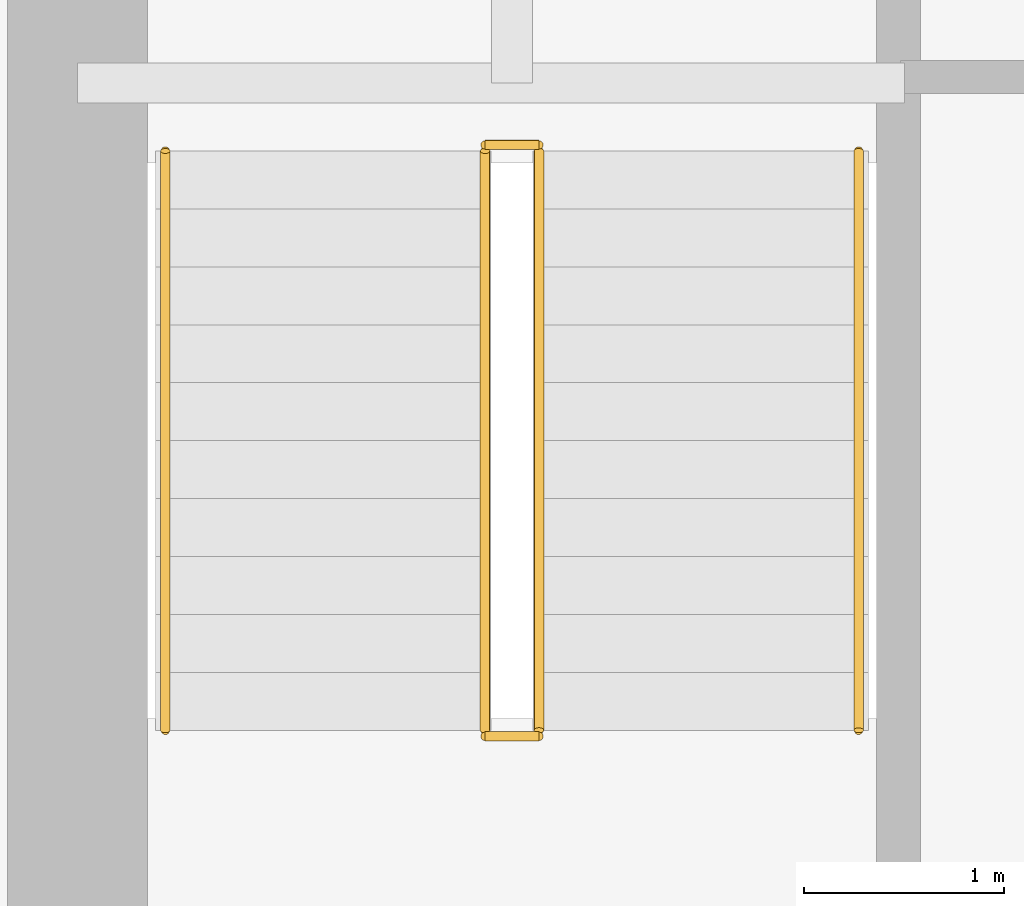
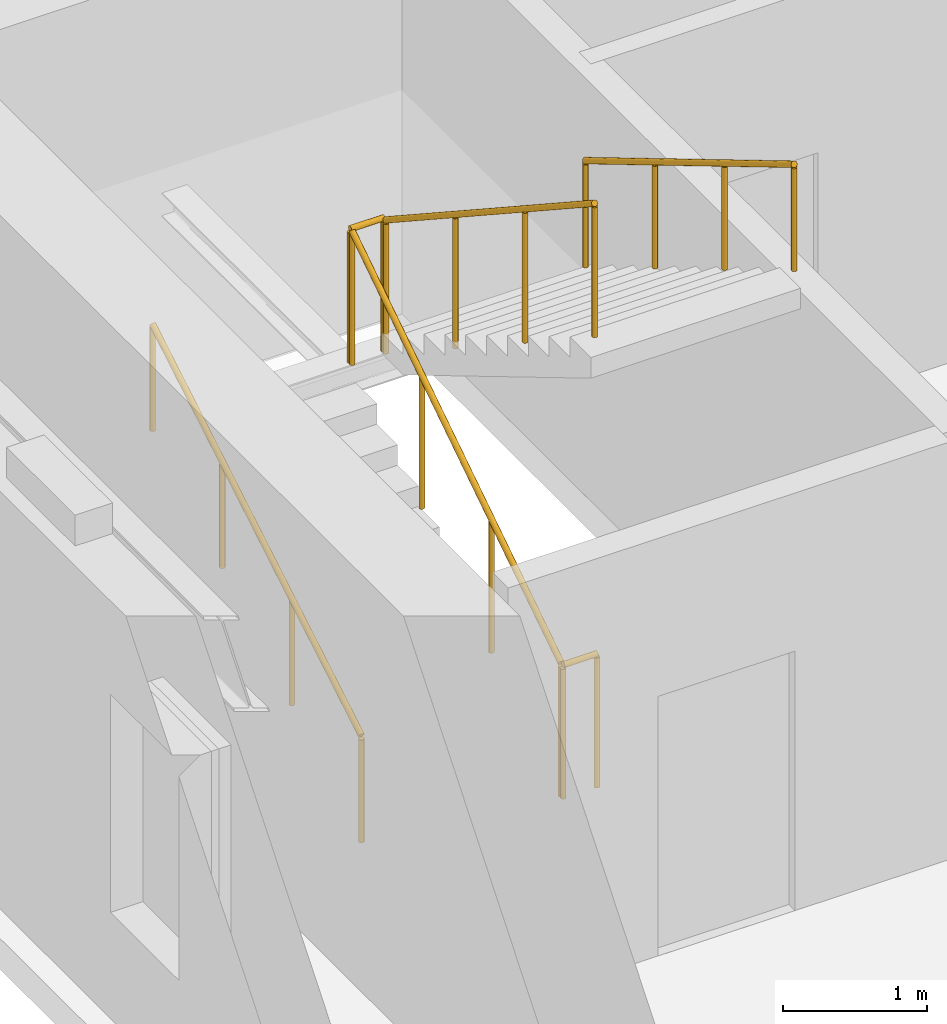
# One storey, part 9 of 11: 6 railings.
"""IFC4 building model written with IfcOpenShell, lengths in metres."""

from ifc_helpers import new_model, si_unit, direction, frame, origin, origin_2d, place, context, subcontext, project, spatial, circle, extrude, material, type_object, element, save


model = new_model("IFC4")

# Units and contexts
model_context = context("Model", 3, precision=1e-05, world=origin(), true_north=direction((0.0, 1.0)))
body_context = subcontext(model_context, "Body", "Model", "MODEL_VIEW")
ifc_project = project(units=[si_unit("LENGTHUNIT", "METRE"), si_unit("AREAUNIT", "SQUARE_METRE"), si_unit("VOLUMEUNIT", "CUBIC_METRE"), si_unit("PLANEANGLEUNIT", "RADIAN"), si_unit("MASSUNIT", "GRAM", prefix="KILO")], contexts=[model_context])

# Site, building, storey
site_placement = place(None, origin())
site = spatial("IfcSite", under=ifc_project, at=site_placement, CompositionType="ELEMENT")
building_placement = place(site_placement, origin())
building = spatial("IfcBuilding", under=site, at=building_placement, Name="Norrvale University Quadrangle", CompositionType="ELEMENT")
storey_placement = place(building_placement, frame((0.0, 0.0, 124.199951171875)))
storey = spatial("IfcBuildingStorey", under=building, at=storey_placement, Name="L31", CompositionType="ELEMENT", Elevation=124.199951171875)

# Railings
ifc_material_1 = material(Name="Steel 350W Painted Balustrade", Category="steel")
railing_type_1 = type_object("IfcRailingType", Name="Railing Stair Guard 1100", PredefinedType="GUARDRAIL", material=ifc_material_1)
for number, where, name in (
    (1, (4.239990234375, 42.02001953125, 0.0), "Stair Floor Well Guard ST-02 L31"),
    (2, (4.239990234375, 44.97998046875, 1.900146484375), "Stair Mid-Landing Slot Guard ST-02 L31"),
):
    element("IfcRailing", number, at=place(storey_placement, frame(where)), inside=storey, type_object=railing_type_1, Name=name, PredefinedType="GUARDRAIL", context=body_context, shape_type="SweptSolid", body=[
        extrude(circle(Radius=0.02392578125, at=origin_2d()), frame((0.0, 0.0, 1.1259765625), z_axis=(1.0, 0.0, 0.0), x_axis=(0.0, 1.0, 0.0)), (0.0, 0.0, 1.0), 0.27001953125),
        extrude(circle(Radius=0.02099609375, at=origin_2d()), origin(), (0.0, 0.0, 1.0), 1.101806640625),
        extrude(circle(Radius=0.02099609375, at=origin_2d()), frame((0.27001953125, 0.0, 0.0)), (0.0, 0.0, 1.0), 1.101806640625),
    ])
railing_1_placement = place(storey_placement, frame((4.239990234375, 42.050048828125, 0.0)))
element("IfcRailing", 3, at=railing_1_placement, inside=storey, type_object=railing_type_1, Name="Stair Lower Flight Inner Guard ST-02 L31", PredefinedType="GUARDRAIL", context=body_context, shape_type="SweptSolid", body=[
    extrude(circle(Radius=0.02392578125, at=origin_2d()), frame((0.0, 0.0, 1.1259765625), z_axis=(0.0, 0.836433300813, 0.548068730445), x_axis=(-1.0, 0.0, 0.0)), (0.0, 0.0, 1.0), 3.467041015625),
    extrude(circle(Radius=0.02099609375, at=origin_2d()), origin(), (0.0, 0.0, 1.0), 1.101806640625),
    extrude(circle(Radius=0.02099609375, at=origin_2d()), frame((0.0, 0.966552734375, 0.63330078125)), (0.0, 0.0, 1.0), 1.101806640625),
    extrude(circle(Radius=0.02099609375, at=origin_2d()), frame((0.0, 1.933349609375, 1.266845703125)), (0.0, 0.0, 1.0), 1.101806640625),
    extrude(circle(Radius=0.02099609375, at=origin_2d()), frame((0.0, 2.89990234375, 1.900146484375)), (0.0, 0.0, 1.0), 1.101806640625),
])
railing_2_placement = place(storey_placement, frame((4.510009765625, 44.949951171875, 1.900146484375)))
element("IfcRailing", 4, at=railing_2_placement, inside=storey, type_object=railing_type_1, Name="Stair Upper Flight Inner Guard ST-02 L31", PredefinedType="GUARDRAIL", context=body_context, shape_type="SweptSolid", body=[
    extrude(circle(Radius=0.02392578125, at=origin_2d()), frame((0.0, 0.0, 1.1259765625), z_axis=(0.0, -0.836465582154, 0.548019461216), x_axis=(1.0, 0.0, 0.0)), (0.0, 0.0, 1.0), 3.466796875),
    extrude(circle(Radius=0.02099609375, at=origin_2d()), origin(), (0.0, 0.0, 1.0), 1.101806640625),
    extrude(circle(Radius=0.02099609375, at=origin_2d()), frame((0.0, -0.966552734375, 0.63330078125)), (0.0, 0.0, 1.0), 1.101806640625),
    extrude(circle(Radius=0.02099609375, at=origin_2d()), frame((0.0, -1.933349609375, 1.2666015625)), (0.0, 0.0, 1.0), 1.101806640625),
    extrude(circle(Radius=0.02099609375, at=origin_2d()), frame((0.0, -2.89990234375, 1.89990234375)), (0.0, 0.0, 1.0), 1.101806640625),
])
ifc_material_2 = material(Name="Stainless Steel 316L Handrail", Category="steel")
railing_type_2 = type_object("IfcRailingType", Name="Railing Stair Handrail 920", PredefinedType="HANDRAIL", material=ifc_material_2)
railing_3_placement = place(storey_placement, frame((2.639892578125, 42.050048828125, 0.1728515625)))
element("IfcRailing", 5, at=railing_3_placement, inside=storey, type_object=railing_type_2, Name="Stair Lower Flight Handrail ST-02 L31", PredefinedType="HANDRAIL", context=body_context, shape_type="SweptSolid", body=[
    extrude(circle(Radius=0.02392578125, at=origin_2d()), frame((0.0, 0.0, 0.89599609375), z_axis=(0.0, 0.859141464434, 0.511738159696), x_axis=(-1.0, 0.0, 0.0)), (0.0, 0.0, 1.0), 3.375244140625),
    extrude(circle(Radius=0.02099609375, at=origin_2d()), origin(), (0.0, 0.0, 1.0), 0.871826171875),
    extrude(circle(Radius=0.02099609375, at=origin_2d()), frame((0.0, 0.966552734375, 0.57568359375)), (0.0, 0.0, 1.0), 0.871826171875),
    extrude(circle(Radius=0.02099609375, at=origin_2d()), frame((0.0, 1.933349609375, 1.151611328125)), (0.0, 0.0, 1.0), 0.871826171875),
    extrude(circle(Radius=0.02099609375, at=origin_2d()), frame((0.0, 2.89990234375, 1.727294921875)), (0.0, 0.0, 1.0), 0.871826171875),
])
railing_4_placement = place(storey_placement, frame((6.110107421875, 44.949951171875, 2.07275390625)))
element("IfcRailing", 6, at=railing_4_placement, inside=storey, type_object=railing_type_2, Name="Stair Upper Flight Handrail ST-02 L31", PredefinedType="HANDRAIL", context=body_context, shape_type="SweptSolid", body=[
    extrude(circle(Radius=0.02392578125, at=origin_2d()), frame((0.0, 0.0, 0.89599609375), z_axis=(0.0, -0.859141464434, 0.511738159696), x_axis=(1.0, 0.0, 0.0)), (0.0, 0.0, 1.0), 3.375244140625),
    extrude(circle(Radius=0.02099609375, at=origin_2d()), origin(), (0.0, 0.0, 1.0), 0.871826171875),
    extrude(circle(Radius=0.02099609375, at=origin_2d()), frame((0.0, -0.966552734375, 0.57568359375)), (0.0, 0.0, 1.0), 0.871826171875),
    extrude(circle(Radius=0.02099609375, at=origin_2d()), frame((0.0, -1.933349609375, 1.151611328125)), (0.0, 0.0, 1.0), 0.871826171875),
    extrude(circle(Radius=0.02099609375, at=origin_2d()), frame((0.0, -2.89990234375, 1.727294921875)), (0.0, 0.0, 1.0), 0.871826171875),
])

save(model, "model.ifc")
